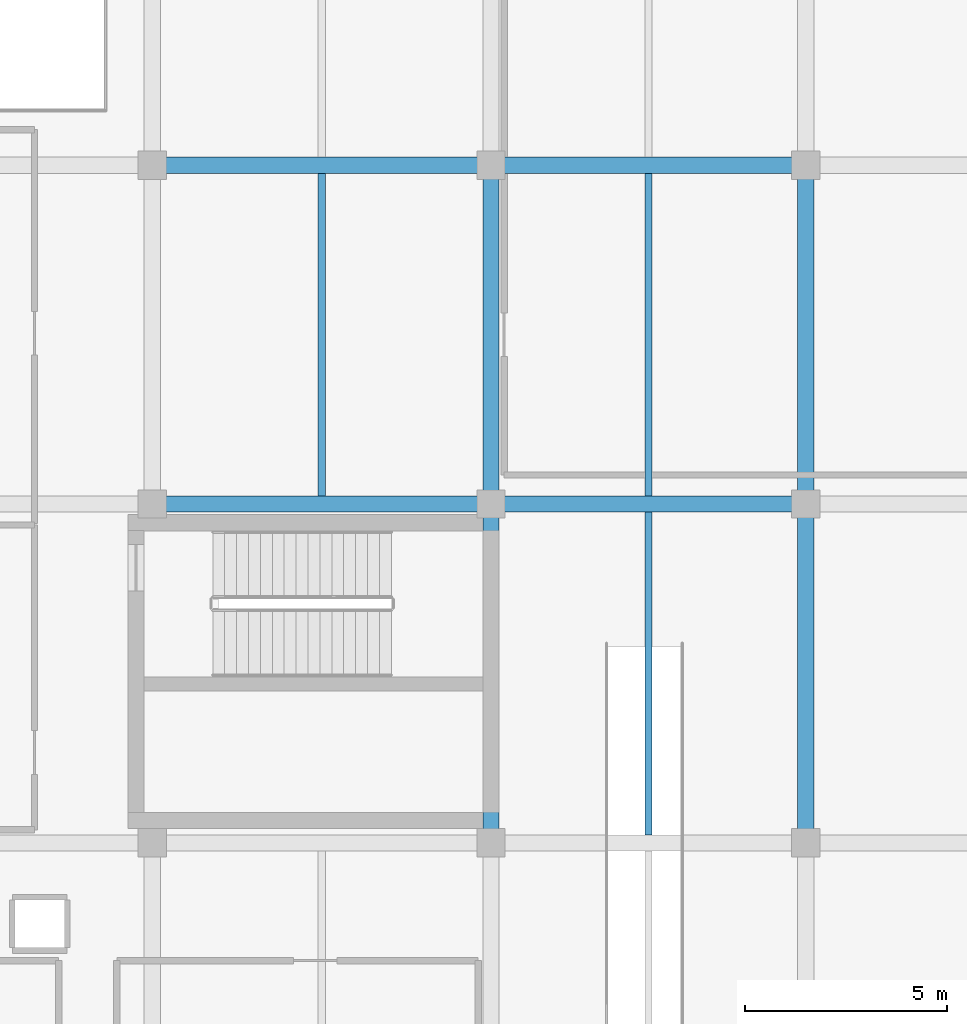
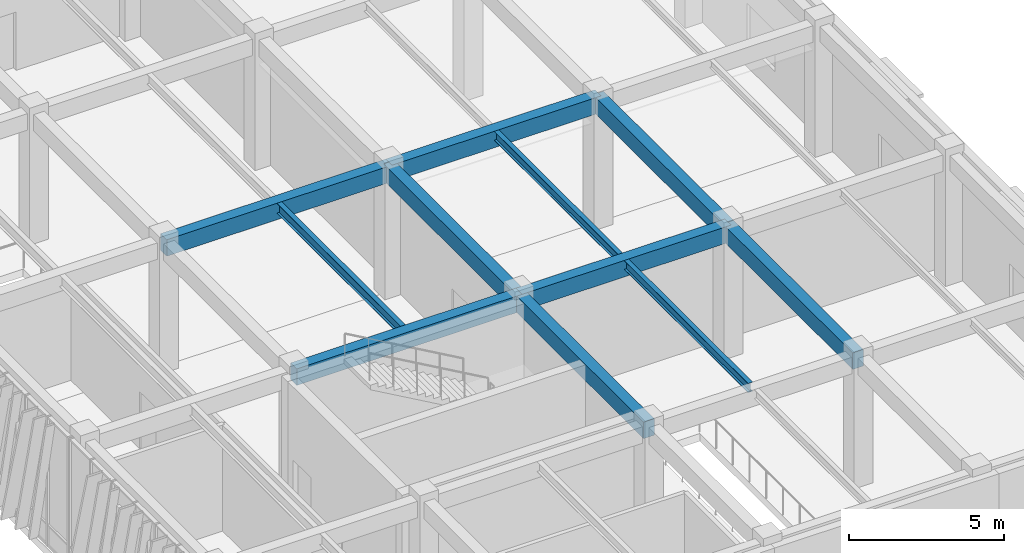
# One storey, part 35 of 139: 11 beams.
"""IFC4 building model written with IfcOpenShell, lengths in metres."""

from ifc_helpers import new_model, si_unit, direction, frame, origin, origin_2d, place, context, subcontext, project, spatial, rectangle, i_section, extrude, material, material_profile, profile_set, type_object, element, save


model = new_model("IFC4")

# Units and contexts
model_context = context("Model", 3, precision=1e-05, world=origin(), true_north=direction((0.0, 1.0)))
body_context = subcontext(model_context, "Body", "Model", "MODEL_VIEW")
ifc_project = project(units=[si_unit("LENGTHUNIT", "METRE"), si_unit("AREAUNIT", "SQUARE_METRE"), si_unit("VOLUMEUNIT", "CUBIC_METRE"), si_unit("PLANEANGLEUNIT", "RADIAN"), si_unit("MASSUNIT", "GRAM", prefix="KILO")], contexts=[model_context])

# Site, building, storey
site_placement = place(None, origin())
site = spatial("IfcSite", under=ifc_project, at=site_placement, CompositionType="ELEMENT")
building_placement = place(site_placement, origin())
building = spatial("IfcBuilding", under=site, at=building_placement, Name="Zayran Congress Hotel", CompositionType="ELEMENT")
storey_placement = place(building_placement, frame((0.0, 0.0, 5.39990234375)))
storey = spatial("IfcBuildingStorey", under=building, at=storey_placement, Name="L01", CompositionType="ELEMENT", Elevation=5.39990234375)

# Beams
ifc_material_1 = material(Name="Concrete C40/50", Category="concrete")
ifc_material_profile_1 = material_profile(ifc_material_1, rectangle(XDim=0.39990234375, YDim=0.64990234375, at=origin_2d()), Name="RC 400x650")
ifc_profile_set_1 = profile_set([ifc_material_profile_1], Name="Concrete C40/50")
beam_type_1 = type_object("IfcBeamType", Name="TP-BM-03", PredefinedType="BEAM", material=ifc_profile_set_1)
beam_1_placement = place(storey_placement, frame((117.60009765625, 59.199951171875, 4.775146484375), z_axis=(1.0, 0.0, 0.0), x_axis=(0.0, 1.0, 0.0)))
element("IfcBeam", 1, at=beam_1_placement, inside=storey, type_object=beam_type_1, Name="BM-V4-L01-1317", PredefinedType="BEAM", context=body_context, shape_type="SweptSolid", body=[
    extrude(rectangle(XDim=0.39990234375, YDim=0.64990234375, at=origin_2d()), origin(), (0.0, 0.0, 1.0), 8.39990234375),
])
beam_2_placement = place(storey_placement, frame((126.0, 59.199951171875, 4.775146484375), z_axis=(1.0, 0.0, 0.0), x_axis=(0.0, 1.0, 0.0)))
element("IfcBeam", 2, at=beam_2_placement, inside=storey, type_object=beam_type_1, Name="BM-V4-L01-1318", PredefinedType="BEAM", context=body_context, shape_type="SweptSolid", body=[
    extrude(rectangle(XDim=0.39990234375, YDim=0.64990234375, at=origin_2d()), origin(), (0.0, 0.0, 1.0), 7.800048828125),
])
beam_3_placement = place(storey_placement, frame((117.60009765625, 67.60009765625, 4.775146484375), z_axis=(1.0, 0.0, 0.0), x_axis=(0.0, 1.0, 0.0)))
element("IfcBeam", 3, at=beam_3_placement, inside=storey, type_object=beam_type_1, Name="BM-V4-L01-1321", PredefinedType="BEAM", context=body_context, shape_type="SweptSolid", body=[
    extrude(rectangle(XDim=0.39990234375, YDim=0.64990234375, at=origin_2d()), origin(), (0.0, 0.0, 1.0), 8.39990234375),
])
beam_4_placement = place(storey_placement, frame((126.0, 67.60009765625, 4.775146484375), z_axis=(1.0, 0.0, 0.0), x_axis=(0.0, 1.0, 0.0)))
element("IfcBeam", 4, at=beam_4_placement, inside=storey, type_object=beam_type_1, Name="BM-V4-L01-1322", PredefinedType="BEAM", context=body_context, shape_type="SweptSolid", body=[
    extrude(rectangle(XDim=0.39990234375, YDim=0.64990234375, at=origin_2d()), origin(), (0.0, 0.0, 1.0), 7.800048828125),
])
beam_5_placement = place(storey_placement, frame((126.0, 50.800048828125, 4.775146484375), z_axis=(0.0, 1.0, 0.0), x_axis=(-1.0, 0.0, 0.0)))
element("IfcBeam", 5, at=beam_5_placement, inside=storey, type_object=beam_type_1, Name="BM-V4-L01-1359", PredefinedType="BEAM", context=body_context, shape_type="SweptSolid", body=[
    extrude(rectangle(XDim=0.39990234375, YDim=0.64990234375, at=origin_2d()), origin(), (0.0, 0.0, 1.0), 8.39990234375),
])
beam_6_placement = place(storey_placement, frame((126.0, 59.199951171875, 4.775146484375), z_axis=(0.0, 1.0, 0.0), x_axis=(-1.0, 0.0, 0.0)))
element("IfcBeam", 6, at=beam_6_placement, inside=storey, type_object=beam_type_1, Name="BM-V4-L01-1360", PredefinedType="BEAM", context=body_context, shape_type="SweptSolid", body=[
    extrude(rectangle(XDim=0.39990234375, YDim=0.64990234375, at=origin_2d()), origin(), (0.0, 0.0, 1.0), 8.400146484375),
])
beam_7_placement = place(storey_placement, frame((133.800048828125, 50.800048828125, 4.775146484375), z_axis=(0.0, 1.0, 0.0), x_axis=(-1.0, 0.0, 0.0)))
element("IfcBeam", 7, at=beam_7_placement, inside=storey, type_object=beam_type_1, Name="BM-V4-L01-1367", PredefinedType="BEAM", context=body_context, shape_type="SweptSolid", body=[
    extrude(rectangle(XDim=0.39990234375, YDim=0.64990234375, at=origin_2d()), origin(), (0.0, 0.0, 1.0), 8.39990234375),
])
beam_8_placement = place(storey_placement, frame((133.800048828125, 59.199951171875, 4.775146484375), z_axis=(0.0, 1.0, 0.0), x_axis=(-1.0, 0.0, 0.0)))
element("IfcBeam", 8, at=beam_8_placement, inside=storey, type_object=beam_type_1, Name="BM-V4-L01-1368", PredefinedType="BEAM", context=body_context, shape_type="SweptSolid", body=[
    extrude(rectangle(XDim=0.39990234375, YDim=0.64990234375, at=origin_2d()), origin(), (0.0, 0.0, 1.0), 8.400146484375),
])
ifc_material_2 = material(Name="Steel S355", Category="steel")
ifc_material_profile_2 = material_profile(ifc_material_2, i_section(OverallWidth=0.179931640625, OverallDepth=0.39990234375, WebThickness=0.008544921875, FlangeThickness=0.013427734375, at=origin_2d()), Name="IPE 400")
ifc_profile_set_2 = profile_set([ifc_material_profile_2], Name="Steel S355")
beam_type_2 = type_object("IfcBeamType", Name="TP-JS-03", PredefinedType="JOIST", material=ifc_profile_set_2)
beam_9_placement = place(storey_placement, frame((121.800048828125, 59.39990234375, 4.900146484375), z_axis=(0.0, 1.0, 0.0), x_axis=(-1.0, 0.0, 0.0)))
element("IfcBeam", 9, at=beam_9_placement, inside=storey, type_object=beam_type_2, Name="JST-V4-L01-1391", PredefinedType="JOIST", context=body_context, shape_type="SweptSolid", body=[
    extrude(i_section(OverallWidth=0.179931640625, OverallDepth=0.39990234375, WebThickness=0.008544921875, FlangeThickness=0.013427734375, at=origin_2d()), origin(), (0.0, 0.0, 1.0), 8.0),
])
ifc_material_profile_3 = material_profile(ifc_material_2, i_section(OverallWidth=0.169921875, OverallDepth=0.360107421875, WebThickness=0.008056640625, FlangeThickness=0.0126953125, at=origin_2d()), Name="IPE 360")
ifc_profile_set_3 = profile_set([ifc_material_profile_3], Name="Steel S355")
beam_type_3 = type_object("IfcBeamType", Name="TP-JS-04", PredefinedType="JOIST", material=ifc_profile_set_3)
for number, where, z_axis, x_axis, name in (
    (10, (129.89990234375, 51.0, 4.920166015625), (0.0, 1.0, 0.0), (-1.0, 0.0, 0.0), "JST-V4-L01-1397"),
    (11, (129.89990234375, 59.39990234375, 4.920166015625), (0.0, 1.0, 0.0), (-1.0, 0.0, 0.0), "JST-V4-L01-1398"),
):
    element("IfcBeam", number, at=place(storey_placement, frame(where, z_axis=z_axis, x_axis=x_axis)), inside=storey, type_object=beam_type_3, Name=name, PredefinedType="JOIST", context=body_context, shape_type="SweptSolid", body=[
        extrude(i_section(OverallWidth=0.169921875, OverallDepth=0.360107421875, WebThickness=0.008056640625, FlangeThickness=0.0126953125, at=origin_2d()), origin(), (0.0, 0.0, 1.0), 8.0),
    ])

save(model, "model.ifc")
